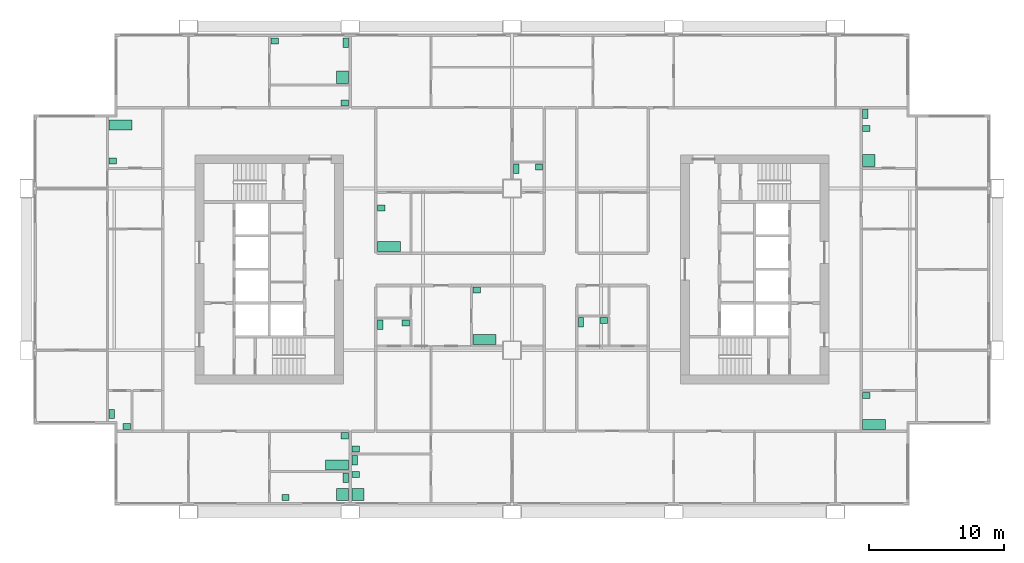
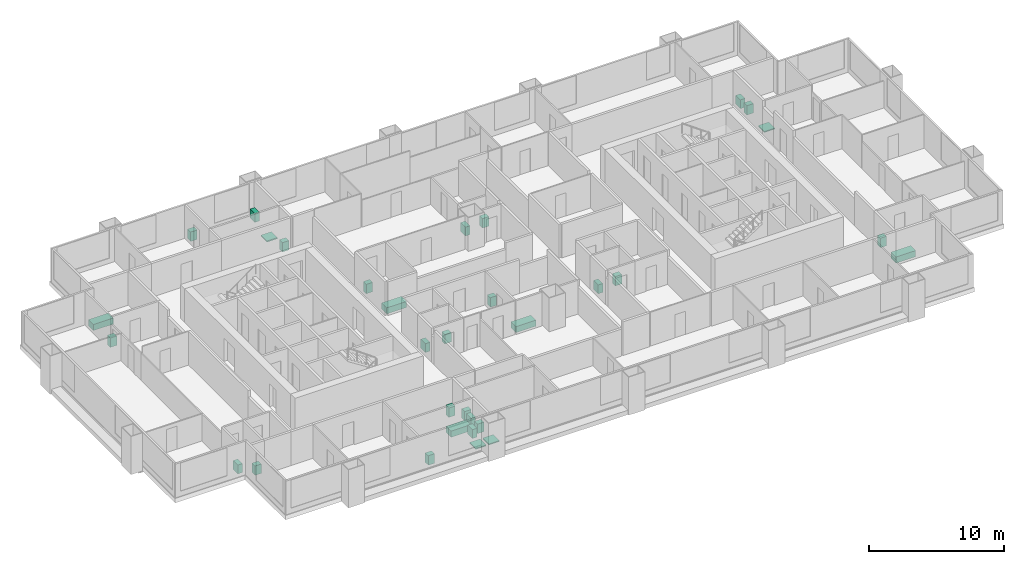
# One storey, part 11 of 11: 32 sanitary terminals.
"""IFC4 building model written with IfcOpenShell, lengths in metres."""

from ifc_helpers import new_model, si_unit, direction, frame, origin, origin_2d, place, context, subcontext, project, spatial, rectangle, extrude, material, type_object, element, save


model = new_model("IFC4")

# Units and contexts
model_context = context("Model", 3, precision=1e-05, world=origin(), true_north=direction((0.0, 1.0)))
body_context = subcontext(model_context, "Body", "Model", "MODEL_VIEW")
ifc_project = project(units=[si_unit("LENGTHUNIT", "METRE"), si_unit("AREAUNIT", "SQUARE_METRE"), si_unit("VOLUMEUNIT", "CUBIC_METRE"), si_unit("PLANEANGLEUNIT", "RADIAN"), si_unit("MASSUNIT", "GRAM", prefix="KILO")], contexts=[model_context])

# Site, building, storey
site_placement = place(None, origin())
site = spatial("IfcSite", under=ifc_project, at=site_placement, CompositionType="ELEMENT")
building_placement = place(site_placement, origin())
building = spatial("IfcBuilding", under=site, at=building_placement, Name="Kitamizu Gate Tower and Museum", CompositionType="ELEMENT")
storey_placement = place(building_placement, frame((0.0, 0.0, 138.0)))
storey = spatial("IfcBuildingStorey", under=building, at=storey_placement, Name="L36", CompositionType="ELEMENT", Elevation=138.0)

# Sanitary terminals
ifc_material_1 = material(Name="Acrylic")
sanitary_terminal_type_1 = type_object("IfcSanitaryTerminalType", Name="Bath", PredefinedType="BATH", material=ifc_material_1)
for number, where, z_axis, x_axis, name in (
    (1, (23.030029296875, 15.4951171875, 0.0009765625), (0.0, 0.0, 1.0), (1.0, 0.0, 0.0), "Bath Bathroom 36A"),
    (2, (6.969970703125, 40.705078125, 0.0009765625), (0.0, 0.0, 1.0), (1.0, 0.0, 0.0), "Bath Bathroom 36B"),
    (3, (33.969970703125, 24.794921875, 0.0009765625), (0.0, 0.0, 1.0), (1.0, 0.0, 0.0), "Bath Bathroom 36C"),
    (4, (62.8701171875, 18.4951171875, 0.0009765625), (0.0, 0.0, 1.0), (1.0, 0.0, 0.0), "Bath Bathroom and WC 36E"),
    (5, (26.8701171875, 31.695068359375, 0.0009765625), (0.0, 0.0, 1.0), (1.0, 0.0, 0.0), "Bath Bathroom 36G"),
):
    element("IfcSanitaryTerminal", number, at=place(storey_placement, frame(where, z_axis=z_axis, x_axis=x_axis)), inside=storey, type_object=sanitary_terminal_type_1, Name=name, PredefinedType="BATH", context=body_context, shape_type="SweptSolid", body=[
        extrude(rectangle(XDim=1.699951171875, YDim=0.75, at=origin_2d()), origin(), (0.0, 0.0, 1.0), 0.550048828125),
    ])
ifc_material_2 = material(Name="Acrylic")
sanitary_terminal_type_2 = type_object("IfcSanitaryTerminalType", Name="Shower tray", PredefinedType="SHOWER", material=ifc_material_2)
for number, where, z_axis, x_axis, name in (
    (6, (23.429931640625, 13.2900390625, 0.0009765625), (0.0, 0.0, 1.0), (1.0, 0.0, 0.0), "Shower tray En-suite bathroom and WC 36A"),
    (7, (24.570068359375, 13.2900390625, 0.0009765625), (0.0, 0.0, 1.0), (1.0, 0.0, 0.0), "Shower tray En-suite bathroom 36D"),
    (8, (62.469970703125, 38.070068359375, 0.0009765625), (0.0, 0.0, 1.0), (1.0, 0.0, 0.0), "Shower tray En-suite bathroom 36E"),
    (9, (23.429931640625, 44.25, 0.0009765625), (0.0, 0.0, 1.0), (1.0, 0.0, 0.0), "Shower tray En-suite bathroom and WC 36F"),
):
    element("IfcSanitaryTerminal", number, at=place(storey_placement, frame(where, z_axis=z_axis, x_axis=x_axis)), inside=storey, type_object=sanitary_terminal_type_2, Name=name, PredefinedType="SHOWER", context=body_context, shape_type="SweptSolid", body=[
        extrude(rectangle(XDim=0.89990234375, YDim=0.89990234375, at=origin_2d()), origin(), (0.0, 0.0, 1.0), 0.10009765625),
    ])
ifc_material_3 = material(Name="Vitreous china")
sanitary_terminal_type_3 = type_object("IfcSanitaryTerminalType", Name="Wash hand basin", PredefinedType="WASHHANDBASIN", material=ifc_material_3)
for number, where, z_axis, x_axis, name in (
    (10, (19.195068359375, 13.06494140625, 0.0009765625), (0.0, 0.0, 1.0), (1.0, 0.0, 0.0), "Wash hand basin En-suite bathroom and WC 36A"),
    (11, (23.60498046875, 17.655029296875, 0.0009765625), (0.0, 0.0, 1.0), (1.0, 0.0, 0.0), "Wash hand basin Bathroom 36A"),
    (12, (7.405029296875, 18.344970703125, 0.0009765625), (0.0, 0.0, 1.0), (1.0, 0.0, 0.0), "Wash hand basin WC 36B"),
    (13, (6.39501953125, 38.044921875, 0.0009765625), (0.0, 0.0, 1.0), (1.0, 0.0, 0.0), "Wash hand basin Bathroom 36B"),
    (14, (28.10498046875, 26.031982421875, 0.0009765625), (0.0, 0.0, 1.0), (1.0, 0.0, 0.0), "Wash hand basin WC 36C"),
    (15, (33.39501953125, 28.455078125, 0.0009765625), (0.0, 0.0, 1.0), (1.0, 0.0, 0.0), "Wash hand basin Bathroom 36C"),
    (16, (24.39501953125, 14.77490234375, 0.0009765625), (0.0, 0.0, 1.0), (1.0, 0.0, 0.0), "Wash hand basin En-suite bathroom 36D"),
    (17, (24.39501953125, 16.6650390625, 0.0009765625), (0.0, 0.0, 1.0), (1.0, 0.0, 0.0), "Wash hand basin Wash room 36D"),
    (18, (42.804931640625, 26.205078125, 0.0009765625), (0.0, 0.0, 1.0), (1.0, 0.0, 0.0), "Wash hand basin WC 36D"),
    (19, (62.294921875, 20.655029296875, 0.0009765625), (0.0, 0.0, 1.0), (1.0, 0.0, 0.0), "Wash hand basin Bathroom and WC 36E"),
    (20, (62.294921875, 40.455078125, 0.0009765625), (0.0, 0.0, 1.0), (1.0, 0.0, 0.0), "Wash hand basin En-suite bathroom 36E"),
    (21, (18.39501953125, 46.93505859375, 0.0009765625), (0.0, 0.0, 1.0), (1.0, 0.0, 0.0), "Wash hand basin En-suite bathroom and WC 36F"),
    (22, (23.60498046875, 42.344970703125, 0.0009765625), (0.0, 0.0, 1.0), (1.0, 0.0, 0.0), "Wash hand basin Wash room 36F"),
    (23, (38.0048828125, 37.60498046875, 0.0009765625), (0.0, 0.0, 1.0), (1.0, 0.0, 0.0), "Wash hand basin WC 36G"),
    (24, (26.294921875, 34.554931640625, 0.0009765625), (0.0, 0.0, 1.0), (1.0, 0.0, 0.0), "Wash hand basin Bathroom 36G"),
):
    element("IfcSanitaryTerminal", number, at=place(storey_placement, frame(where, z_axis=z_axis, x_axis=x_axis)), inside=storey, type_object=sanitary_terminal_type_3, Name=name, PredefinedType="WASHHANDBASIN", context=body_context, shape_type="SweptSolid", body=[
        extrude(rectangle(XDim=0.550048828125, YDim=0.449951171875, at=origin_2d()), origin(), (0.0, 0.0, 1.0), 0.85009765625),
    ])
ifc_material_4 = material(Name="Vitreous china")
sanitary_terminal_type_4 = type_object("IfcSanitaryTerminalType", Name="Water closet", PredefinedType="TOILETPAN", material=ifc_material_4)
for number, where, z_axis, x_axis, name in (
    (25, (23.679931640625, 14.530029296875, 0.0009765625), (0.0, 0.0, 1.0), (1.0, 0.0, 0.0), "Water closet En-suite bathroom and WC 36A"),
    (26, (6.320068359375, 19.27001953125, 0.0009765625), (0.0, 0.0, 1.0), (1.0, 0.0, 0.0), "Water closet WC 36B"),
    (27, (26.219970703125, 25.906982421875, 0.0009765625), (0.0, 0.0, 1.0), (1.0, 0.0, 0.0), "Water closet WC 36C"),
    (28, (24.320068359375, 15.85009765625, 0.0009765625), (0.0, 0.0, 1.0), (1.0, 0.0, 0.0), "Water closet En-suite bathroom 36D"),
    (29, (41.1201171875, 26.080078125, 0.0009765625), (0.0, 0.0, 1.0), (1.0, 0.0, 0.0), "Water closet WC 36D"),
    (30, (62.219970703125, 41.530029296875, 0.0009765625), (0.0, 0.0, 1.0), (1.0, 0.0, 0.0), "Water closet En-suite bathroom 36E"),
    (31, (23.679931640625, 46.81005859375, 0.0009765625), (0.0, 0.0, 1.0), (1.0, 0.0, 0.0), "Water closet En-suite bathroom and WC 36F"),
    (32, (36.320068359375, 37.47998046875, 0.0009765625), (0.0, 0.0, 1.0), (1.0, 0.0, 0.0), "Water closet WC 36G"),
):
    element("IfcSanitaryTerminal", number, at=place(storey_placement, frame(where, z_axis=z_axis, x_axis=x_axis)), inside=storey, type_object=sanitary_terminal_type_4, Name=name, PredefinedType="TOILETPAN", context=body_context, shape_type="SweptSolid", body=[
        extrude(rectangle(XDim=0.39990234375, YDim=0.699951171875, at=origin_2d()), origin(), (0.0, 0.0, 1.0), 0.800048828125),
    ])

save(model, "model.ifc")
